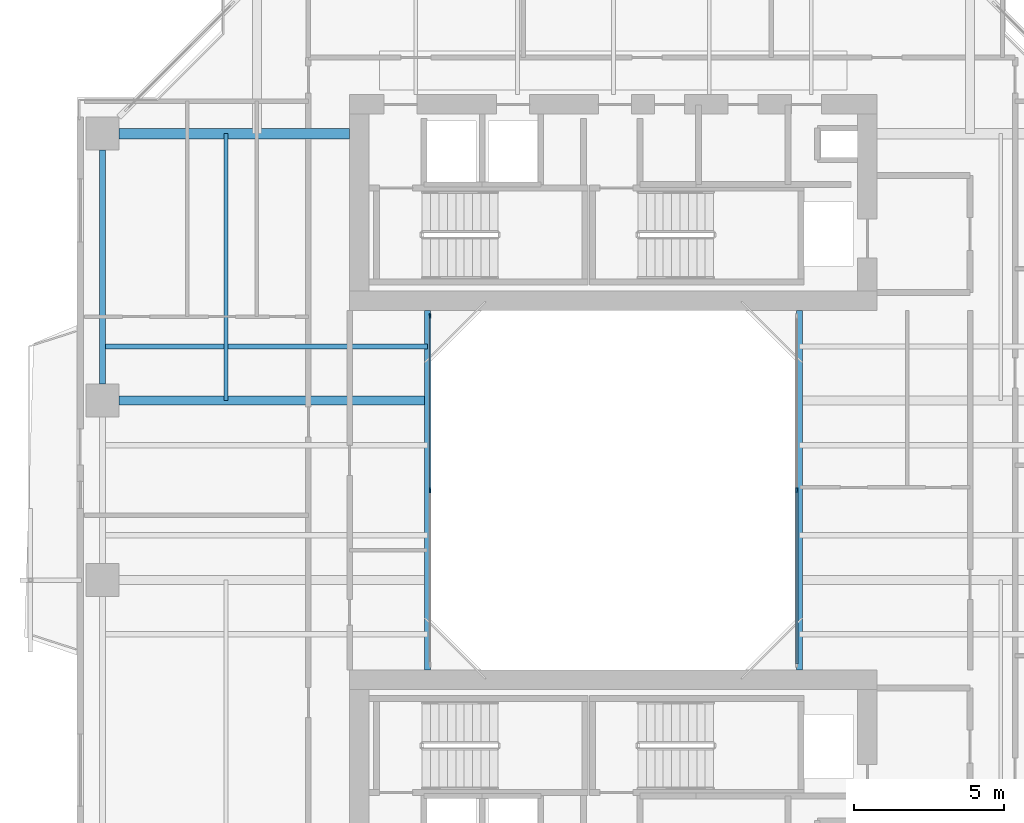
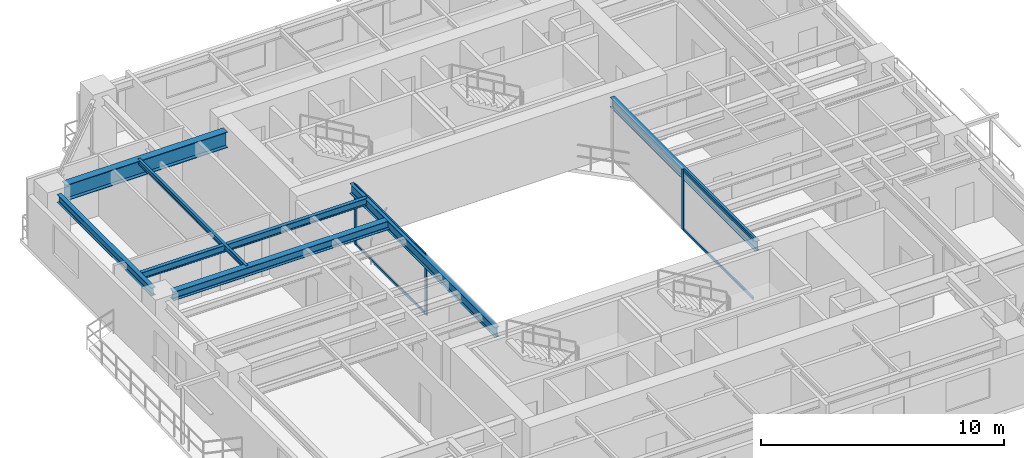
# One storey, part 5 of 16: 7 beams, 7 members, 2 elements without a shape of their own.
"""IFC4 building model written with IfcOpenShell, lengths in metres."""

from ifc_helpers import new_model, si_unit, direction, frame, origin, origin_2d, place, context, subcontext, project, spatial, rectangle, i_section, extrude, source, transform, mapped, material, layer, layer_set, material_profile, profile_set, type_object, element, aggregate, save


model = new_model("IFC4")

# Units and contexts
model_context = context("Model", 3, precision=1e-05, world=origin(), true_north=direction((0.0, 1.0)))
body_context = subcontext(model_context, "Body", "Model", "MODEL_VIEW")
ifc_project = project(units=[si_unit("LENGTHUNIT", "METRE"), si_unit("AREAUNIT", "SQUARE_METRE"), si_unit("VOLUMEUNIT", "CUBIC_METRE"), si_unit("PLANEANGLEUNIT", "RADIAN"), si_unit("MASSUNIT", "GRAM", prefix="KILO"), si_unit("THERMODYNAMICTEMPERATUREUNIT", "KELVIN"), si_unit("POWERUNIT", "WATT")], contexts=[model_context])

# Site, building, storey
site_placement = place(None, origin())
site = spatial("IfcSite", under=ifc_project, at=site_placement, CompositionType="ELEMENT")
building_placement = place(site_placement, origin())
building = spatial("IfcBuilding", under=site, at=building_placement, Name="Qiaomeng Ring Towers", CompositionType="ELEMENT")
storey_placement = place(building_placement, frame((0.0, 0.0, 136.0)))
storey = spatial("IfcBuildingStorey", under=building, at=storey_placement, Name="L39", CompositionType="ELEMENT", Elevation=136.0)

# Beams
ifc_material_1 = material(Name="Steel Q355B", Category="steel")
ifc_material_profile_1 = material_profile(ifc_material_1, i_section(OverallWidth=0.199951171875, OverallDepth=0.5, WebThickness=0.010009765625, FlangeThickness=0.01611328125, FilletRadius=0.02001953125, at=origin_2d()), Name="HN 500x200x10x16")
ifc_profile_set_1 = profile_set([ifc_material_profile_1], Name="Steel Q355B")
beam_type_1 = type_object("IfcBeamType", Name="STR-BM-HN500", PredefinedType="BEAM", material=ifc_profile_set_1)
shared_shape_1 = source(origin(), body_context, "Body", "SweptSolid", [
    extrude(i_section(OverallWidth=0.199951171875, OverallDepth=0.5, WebThickness=0.010009765625, FlangeThickness=0.01611328125, FilletRadius=0.02001953125, at=origin_2d()), origin(), (0.0, 0.0, 1.0), 12.0),
])
for number, where, z_axis, x_axis, name in (
    (1, (12.800048828125, 17.0, 2.780029296875), (0.0, 1.0, 0.0), (-1.0, 0.0, 0.0), "L39 beam STR-BM-L39-WELL-W"),
    (2, (25.199951171875, 17.0, 2.780029296875), (0.0, 1.0, 0.0), (-1.0, 0.0, 0.0), "L39 beam STR-BM-L39-WELL-E"),
):
    element("IfcBeam", number, at=place(storey_placement, frame(where, z_axis=z_axis, x_axis=x_axis)), inside=storey, type_object=beam_type_1, Name=name, PredefinedType="BEAM", context=body_context, shape_type="MappedRepresentation", body=[
        mapped(shared_shape_1, transform((0.0, 0.0, 0.0), x_axis=(1.0, 0.0, 0.0), y_axis=(0.0, 1.0, 0.0), z_axis=(0.0, 0.0, 1.0), scale=1.0)),
    ])
ifc_material_profile_2 = material_profile(ifc_material_1, i_section(OverallWidth=0.199951171875, OverallDepth=0.39990234375, WebThickness=0.008056640625, FlangeThickness=0.012939453125, FilletRadius=0.01611328125, at=origin_2d()), Name="HN 400x200x8x13")
ifc_profile_set_2 = profile_set([ifc_material_profile_2], Name="Steel Q355B")
beam_type_2 = type_object("IfcBeamType", Name="STR-BM-HN400", PredefinedType="SPANDREL", material=ifc_profile_set_2)
shared_shape_2 = source(origin(), body_context, "Body", "SweptSolid", [
    extrude(i_section(OverallWidth=0.199951171875, OverallDepth=0.39990234375, WebThickness=0.008056640625, FlangeThickness=0.012939453125, FilletRadius=0.01611328125, at=origin_2d()), origin(), (0.0, 0.0, 1.0), 7.802001953125),
])
beam_1_placement = place(storey_placement, frame((1.949951171875, 34.35107421875, 2.830078125), z_axis=(0.0, -1.0, 0.0), x_axis=(1.0, 0.0, 0.0)))
element("IfcBeam", 3, at=beam_1_placement, inside=storey, type_object=beam_type_2, Name="L39 beam STR-SP-L39-T1-W4-W3", PredefinedType="SPANDREL", context=body_context, shape_type="MappedRepresentation", body=[
    mapped(shared_shape_2, transform((0.0, 0.0, 0.0), x_axis=(1.0, 0.0, 0.0), y_axis=(0.0, 1.0, 0.0), z_axis=(0.0, 0.0, 1.0), scale=1.0)),
])
ifc_material_2 = material(Name="Steel Q390GJC", Category="steel")
ifc_material_profile_3 = material_profile(ifc_material_2, i_section(OverallWidth=0.35009765625, OverallDepth=0.800048828125, WebThickness=0.01611328125, FlangeThickness=0.028076171875, at=origin_2d()), Name="WH 800x350x16x28")
ifc_profile_set_3 = profile_set([ifc_material_profile_3], Name="Steel Q390GJC")
beam_type_3 = type_object("IfcBeamType", Name="STR-BM-WH800", PredefinedType="BEAM", material=ifc_profile_set_3)
shared_shape_3 = source(origin(), body_context, "Body", "SweptSolid", [
    extrude(i_section(OverallWidth=0.35009765625, OverallDepth=0.800048828125, WebThickness=0.01611328125, FlangeThickness=0.028076171875, at=origin_2d()), origin(), (0.0, 0.0, 1.0), 7.700927734375),
])
beam_2_placement = place(storey_placement, frame((2.4990234375, 34.89990234375, 2.6298828125), z_axis=(1.0, 0.0, 0.0), x_axis=(0.0, 1.0, 0.0)))
element("IfcBeam", 4, at=beam_2_placement, inside=storey, type_object=beam_type_3, Name="L39 beam STR-BM-L39-T1-RAD-W4", PredefinedType="BEAM", context=body_context, shape_type="MappedRepresentation", body=[
    mapped(shared_shape_3, transform((0.0, 0.0, 0.0), x_axis=(1.0, 0.0, 0.0), y_axis=(0.0, 1.0, 0.0), z_axis=(0.0, 0.0, 1.0), scale=1.0)),
])
ifc_material_profile_4 = material_profile(ifc_material_1, i_section(OverallWidth=0.300048828125, OverallDepth=0.43994140625, WebThickness=0.010986328125, FlangeThickness=0.01806640625, FilletRadius=0.02392578125, at=origin_2d()), Name="HM 440x300x11x18")
ifc_profile_set_4 = profile_set([ifc_material_profile_4], Name="Steel Q355B")
beam_type_4 = type_object("IfcBeamType", Name="STR-BM-HM440", PredefinedType="BEAM", material=ifc_profile_set_4)
shared_shape_4 = source(origin(), body_context, "Body", "SweptSolid", [
    extrude(i_section(OverallWidth=0.300048828125, OverallDepth=0.43994140625, WebThickness=0.010986328125, FlangeThickness=0.01806640625, FilletRadius=0.02392578125, at=origin_2d()), origin(), (0.0, 0.0, 1.0), 10.301025390625),
])
beam_3_placement = place(storey_placement, frame((2.4990234375, 26.0, 2.81005859375), z_axis=(1.0, 0.0, 0.0), x_axis=(0.0, 1.0, 0.0)))
element("IfcBeam", 5, at=beam_3_placement, inside=storey, type_object=beam_type_4, Name="L39 beam STR-BM-L39-T1-RAD-W3", PredefinedType="BEAM", context=body_context, shape_type="MappedRepresentation", body=[
    mapped(shared_shape_4, transform((0.0, 0.0, 0.0), x_axis=(1.0, 0.0, 0.0), y_axis=(0.0, 1.0, 0.0), z_axis=(0.0, 0.0, 1.0), scale=1.0)),
])
ifc_material_profile_5 = material_profile(ifc_material_1, i_section(OverallWidth=0.175048828125, OverallDepth=0.35009765625, WebThickness=0.007080078125, FlangeThickness=0.010986328125, FilletRadius=0.013916015625, at=origin_2d()), Name="HN 350x175x7x11")
ifc_profile_set_5 = profile_set([ifc_material_profile_5], Name="Steel Q355B")
beam_type_5 = type_object("IfcBeamType", Name="STR-BM-HN350", PredefinedType="JOIST", material=ifc_profile_set_5)
shared_shape_5 = source(origin(), body_context, "Body", "SweptSolid", [
    extrude(i_section(OverallWidth=0.175048828125, OverallDepth=0.35009765625, WebThickness=0.007080078125, FlangeThickness=0.010986328125, FilletRadius=0.013916015625, at=origin_2d()), origin(), (0.0, 0.0, 1.0), 10.85009765625),
])
beam_4_placement = place(storey_placement, frame((1.949951171875, 27.800048828125, 2.85498046875), z_axis=(1.0, 0.0, 0.0), x_axis=(0.0, 1.0, 0.0)))
element("IfcBeam", 6, at=beam_4_placement, inside=storey, type_object=beam_type_5, Name="L39 beam STR-JST-L39-T1W-4", PredefinedType="JOIST", context=body_context, shape_type="MappedRepresentation", body=[
    mapped(shared_shape_5, transform((0.0, 0.0, 0.0), x_axis=(1.0, 0.0, 0.0), y_axis=(0.0, 1.0, 0.0), z_axis=(0.0, 0.0, 1.0), scale=1.0)),
])
ifc_material_profile_6 = material_profile(ifc_material_1, i_section(OverallWidth=0.125, OverallDepth=0.25, WebThickness=0.006103515625, FlangeThickness=0.009033203125, FilletRadius=0.011962890625, at=origin_2d()), Name="HN 250x125x6x9")
ifc_profile_set_6 = profile_set([ifc_material_profile_6], Name="Steel Q355B")
beam_type_6 = type_object("IfcBeamType", Name="STR-BM-HN250", PredefinedType="JOIST", material=ifc_profile_set_6)
shared_shape_6 = source(origin(), body_context, "Body", "SweptSolid", [
    extrude(i_section(OverallWidth=0.125, OverallDepth=0.25, WebThickness=0.006103515625, FlangeThickness=0.009033203125, FilletRadius=0.011962890625, at=origin_2d()), origin(), (0.0, 0.0, 1.0), 8.89990234375),
])
beam_5_placement = place(storey_placement, frame((6.074951171875, 26.0, 2.905029296875), z_axis=(0.0, 1.0, 0.0), x_axis=(-1.0, 0.0, 0.0)))
element("IfcBeam", 7, at=beam_5_placement, inside=storey, type_object=beam_type_6, Name="L39 beam STR-JST-L39-T1C-WN", PredefinedType="JOIST", context=body_context, shape_type="MappedRepresentation", body=[
    mapped(shared_shape_6, transform((0.0, 0.0, 0.0), x_axis=(1.0, 0.0, 0.0), y_axis=(0.0, 1.0, 0.0), z_axis=(0.0, 0.0, 1.0), scale=1.0)),
])

# Curtain wall, members
ifc_material_3 = material(Name="Fluorocarbon dark-grey aluminium", Category="aluminium")
ifc_layer = layer(ifc_material_3, 0.139892578125, Name="Fluorocarbon dark-grey aluminium")
ifc_layer_set = layer_set([ifc_layer], Name="Fluorocarbon dark-grey aluminium")
curtain_wall_type = type_object("IfcCurtainWallType", Name="ARC-CW-4", PredefinedType="NOTDEFINED", material=ifc_layer_set)
curtain_wall_1_placement = place(storey_placement, origin())
curtain_wall_1 = element("IfcCurtainWall", 8, at=curtain_wall_1_placement, inside=storey, type_object=curtain_wall_type, Name="L39 Curtain Wall CW4", PredefinedType="NOTDEFINED")
ifc_material_profile_7 = material_profile(ifc_material_3, rectangle(XDim=0.06494140625, YDim=0.1298828125, at=origin_2d()), Name="ALU TRAN 65x130")
ifc_profile_set_7 = profile_set([ifc_material_profile_7], Name="Fluorocarbon dark-grey aluminium")
member_type_1 = type_object("IfcMemberType", Name="ARC-CWT-120", PredefinedType="USERDEFINED", material=ifc_profile_set_7)
shared_shape_7 = source(origin(), body_context, "Body", "SweptSolid", [
    extrude(rectangle(XDim=0.06494140625, YDim=0.1298828125, at=origin_2d()), origin(), (0.0, 0.0, 1.0), 5.75244140625),
])
member_1_placement = place(storey_placement, frame((12.8798828125, 23.032470703125, 0.032470703125), z_axis=(0.0, 1.0, 0.0), x_axis=(-1.0, 0.0, 0.0)))
member_1 = element("IfcMember", 9, at=member_1_placement, type_object=member_type_1, Name="CW4 transom 2.1", ObjectType="TRANSOM", PredefinedType="USERDEFINED", context=body_context, shape_type="MappedRepresentation", body=[
    mapped(shared_shape_7, transform((0.0, 0.0, 0.0), x_axis=(1.0, 0.0, 0.0), y_axis=(0.0, 1.0, 0.0), z_axis=(0.0, 0.0, 1.0), scale=1.0)),
])
member_2_placement = place(storey_placement, frame((12.8798828125, 23.032470703125, 2.99755859375), z_axis=(0.0, 1.0, 0.0), x_axis=(-1.0, 0.0, 0.0)))
member_2 = element("IfcMember", 10, at=member_2_placement, type_object=member_type_1, Name="CW4 transom 2.2", ObjectType="TRANSOM", PredefinedType="USERDEFINED", context=body_context, shape_type="MappedRepresentation", body=[
    mapped(shared_shape_7, transform((0.0, 0.0, 0.0), x_axis=(1.0, 0.0, 0.0), y_axis=(0.0, 1.0, 0.0), z_axis=(0.0, 0.0, 1.0), scale=1.0)),
])

curtain_wall_2_placement = place(storey_placement, origin())
curtain_wall_2 = element("IfcCurtainWall", 11, at=curtain_wall_2_placement, inside=storey, type_object=curtain_wall_type, Name="L39 Curtain Wall CW4", PredefinedType="NOTDEFINED")
member_3_placement = place(storey_placement, frame((25.1201171875, 17.215087890625, 0.032470703125), z_axis=(0.0, 1.0, 0.0), x_axis=(-1.0, 0.0, 0.0)))
member_3 = element("IfcMember", 12, at=member_3_placement, type_object=member_type_1, Name="CW4 transom 1.1", ObjectType="TRANSOM", PredefinedType="USERDEFINED", context=body_context, shape_type="MappedRepresentation", body=[
    mapped(shared_shape_7, transform((0.0, 0.0, 0.0), x_axis=(1.0, 0.0, 0.0), y_axis=(0.0, 1.0, 0.0), z_axis=(0.0, 0.0, 1.0), scale=1.0)),
])
member_4_placement = place(storey_placement, frame((25.1201171875, 17.215087890625, 2.99755859375), z_axis=(0.0, 1.0, 0.0), x_axis=(-1.0, 0.0, 0.0)))
member_4 = element("IfcMember", 13, at=member_4_placement, type_object=member_type_1, Name="CW4 transom 1.2", ObjectType="TRANSOM", PredefinedType="USERDEFINED", context=body_context, shape_type="MappedRepresentation", body=[
    mapped(shared_shape_7, transform((0.0, 0.0, 0.0), x_axis=(1.0, 0.0, 0.0), y_axis=(0.0, 1.0, 0.0), z_axis=(0.0, 0.0, 1.0), scale=1.0)),
])

# Member
ifc_material_profile_8 = material_profile(ifc_material_3, rectangle(XDim=0.06494140625, YDim=0.159912109375, at=origin_2d()), Name="ALU MULL 65x160")
ifc_profile_set_8 = profile_set([ifc_material_profile_8], Name="Fluorocarbon dark-grey aluminium")
member_type_2 = type_object("IfcMemberType", Name="ARC-CWM-140", PredefinedType="MULLION", material=ifc_profile_set_8)
shared_shape_8 = source(origin(), body_context, "Body", "SweptSolid", [
    extrude(rectangle(XDim=0.06494140625, YDim=0.159912109375, at=origin_2d()), origin(), (0.0, 0.0, 1.0), 3.030029296875),
])
member_5_placement = place(storey_placement, frame((12.8798828125, 23.0, 0.0), z_axis=(0.0, 0.0, 1.0), x_axis=(-1.0, 0.0, 0.0)))
member_5 = element("IfcMember", 14, at=member_5_placement, type_object=member_type_2, Name="CW4 mullion 2", PredefinedType="MULLION", context=body_context, shape_type="MappedRepresentation", body=[
    mapped(shared_shape_8, transform((0.0, 0.0, 0.0), x_axis=(1.0, 0.0, 0.0), y_axis=(0.0, 1.0, 0.0), z_axis=(0.0, 0.0, 1.0), scale=1.0)),
])

member_6_placement = place(storey_placement, frame((12.8798828125, 28.8173828125, 0.0), z_axis=(0.0, 0.0, 1.0), x_axis=(-1.0, 0.0, 0.0)))
member_6 = element("IfcMember", 15, at=member_6_placement, type_object=member_type_2, Name="CW4 mullion 3", PredefinedType="MULLION", context=body_context, shape_type="MappedRepresentation", body=[
    mapped(shared_shape_8, transform((0.0, 0.0, 0.0), x_axis=(1.0, 0.0, 0.0), y_axis=(0.0, 1.0, 0.0), z_axis=(0.0, 0.0, 1.0), scale=1.0)),
])

aggregate(curtain_wall_1, [member_5, member_6, member_1, member_2])

member_7_placement = place(storey_placement, frame((25.1201171875, 23.0, 0.0), z_axis=(0.0, 0.0, 1.0), x_axis=(-1.0, 0.0, 0.0)))
member_7 = element("IfcMember", 16, at=member_7_placement, type_object=member_type_2, Name="CW4 mullion 2", PredefinedType="MULLION", context=body_context, shape_type="MappedRepresentation", body=[
    mapped(shared_shape_8, transform((0.0, 0.0, 0.0), x_axis=(1.0, 0.0, 0.0), y_axis=(0.0, 1.0, 0.0), z_axis=(0.0, 0.0, 1.0), scale=1.0)),
])

aggregate(curtain_wall_2, [member_7, member_3, member_4])

save(model, "model.ifc")
